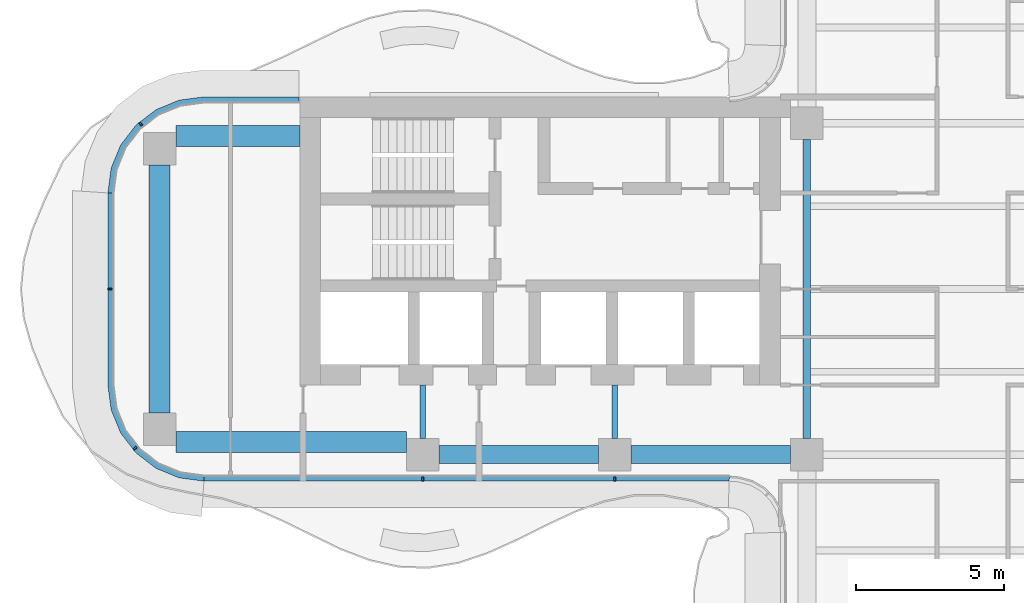
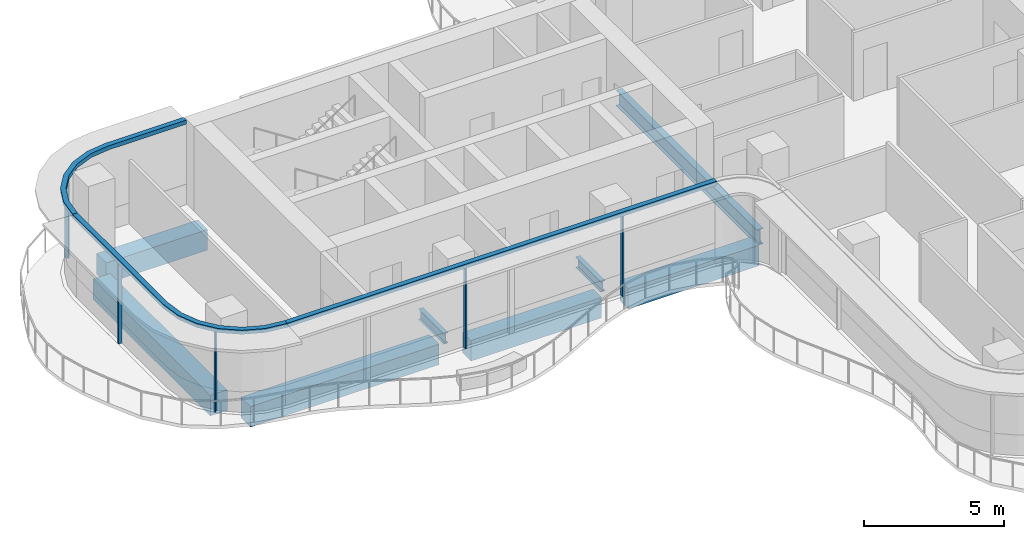
# One storey, part 3 of 16: 8 beams, 8 members, 3 elements without a shape of their own.
"""IFC4 building model written with IfcOpenShell, lengths in metres."""

from ifc_helpers import new_model, si_unit, direction, frame, origin, origin_2d, place, context, subcontext, project, spatial, polyline, rectangle, i_section, outline, extrude, source, transform, mapped, material, layer, layer_set, material_profile, profile_set, type_object, element, aggregate, save


model = new_model("IFC4")

# Units and contexts
model_context = context("Model", 3, precision=1e-05, world=origin(), true_north=direction((0.0, 1.0)))
body_context = subcontext(model_context, "Body", "Model", "MODEL_VIEW")
ifc_project = project(units=[si_unit("LENGTHUNIT", "METRE"), si_unit("AREAUNIT", "SQUARE_METRE"), si_unit("VOLUMEUNIT", "CUBIC_METRE"), si_unit("PLANEANGLEUNIT", "RADIAN"), si_unit("MASSUNIT", "GRAM", prefix="KILO")], contexts=[model_context])

# Site, building, storey
site_placement = place(None, origin())
site = spatial("IfcSite", under=ifc_project, at=site_placement, CompositionType="ELEMENT")
building_placement = place(site_placement, origin())
building = spatial("IfcBuilding", under=site, at=building_placement, Name="Trellis Farm Tower", CompositionType="ELEMENT")
storey_placement = place(building_placement, frame((0.0, 0.0, 251.89990234375)))
storey = spatial("IfcBuildingStorey", under=building, at=storey_placement, Name="L56", CompositionType="ELEMENT", Elevation=251.89990234375)

# Beams
ifc_material_1 = material(Name="Steel S355", Category="steel")
ifc_material_profile_1 = material_profile(ifc_material_1, i_section(OverallWidth=0.253662109375, OverallDepth=0.68359375, WebThickness=0.012451171875, FlangeThickness=0.021728515625, FilletRadius=0.01513671875, at=origin_2d()), Name="UB 686x254x140")
ifc_profile_set_1 = profile_set([ifc_material_profile_1], Name="Steel S355")
beam_type_1 = type_object("IfcBeamType", Name="UB 686x254x140", PredefinedType="BEAM", material=ifc_profile_set_1)
shared_shape_1 = source(origin(), body_context, "Body", "SweptSolid", [
    extrude(i_section(OverallWidth=0.253662109375, OverallDepth=0.68359375, WebThickness=0.012451171875, FlangeThickness=0.021728515625, FilletRadius=0.01513671875, at=origin_2d()), origin(), (0.0, 0.0, 1.0), 10.10009765625),
])
beam_1_placement = place(storey_placement, frame((-5.60009765625, -5.050048828125, -0.54150390625), z_axis=(0.0, 1.0, 0.0), x_axis=(-1.0, 0.0, 0.0)))
element("IfcBeam", 1, at=beam_1_placement, inside=storey, type_object=beam_type_1, Name="Girder", PredefinedType="BEAM", context=body_context, shape_type="MappedRepresentation", body=[
    mapped(shared_shape_1, transform((0.0, 0.0, 0.0))),
])
ifc_material_profile_2 = material_profile(ifc_material_1, i_section(OverallWidth=0.1904296875, OverallDepth=0.45703125, WebThickness=0.009033203125, FlangeThickness=0.014404296875, FilletRadius=0.01025390625, at=origin_2d()), Name="UB 457x191x74")
ifc_profile_set_2 = profile_set([ifc_material_profile_2], Name="Steel S355")
beam_type_2 = type_object("IfcBeamType", Name="UB 457x191x74", PredefinedType="BEAM", material=ifc_profile_set_2)
shared_shape_2 = source(origin(), body_context, "Body", "SweptSolid", [
    extrude(i_section(OverallWidth=0.1904296875, OverallDepth=0.45703125, WebThickness=0.009033203125, FlangeThickness=0.014404296875, FilletRadius=0.01025390625, at=origin_2d()), origin(), (0.0, 0.0, 1.0), 1.800048828125),
])
for number, where, z_axis, x_axis, name in (
    (2, (-18.60009765625, -5.050048828125, -0.428466796875), (0.0, 1.0, 0.0), (-1.0, 0.0, 0.0), "Girder"),
    (3, (-12.10009765625, -5.050048828125, -0.428466796875), (0.0, 1.0, 0.0), (-1.0, 0.0, 0.0), "Girder"),
):
    element("IfcBeam", number, at=place(storey_placement, frame(where, z_axis=z_axis, x_axis=x_axis)), inside=storey, type_object=beam_type_2, Name=name, PredefinedType="BEAM", context=body_context, shape_type="MappedRepresentation", body=[
        mapped(shared_shape_2, transform((0.0, 0.0, 0.0))),
    ])
ifc_material_2 = material(Name="Concrete C60/75", Category="concrete")
ifc_material_profile_3 = material_profile(ifc_material_2, rectangle(XDim=0.60009765625, YDim=0.89990234375, at=origin_2d()), Name="RC spandrel beam 600x900 C60/75")
ifc_profile_set_3 = profile_set([ifc_material_profile_3], Name="Concrete C60/75")
beam_type_3 = type_object("IfcBeamType", Name="RC spandrel beam 600x900 C60/75", PredefinedType="SPANDREL", material=ifc_profile_set_3)
shared_shape_3 = source(origin(), body_context, "Body", "SweptSolid", [
    extrude(rectangle(XDim=0.60009765625, YDim=0.89990234375, at=origin_2d()), origin(), (0.0, 0.0, 1.0), 5.400146484375),
])
for number, where, z_axis, x_axis, name in (
    (4, (-18.050048828125, -5.60009765625, -0.64990234375), (1.0, 0.0, 0.0), (0.0, 1.0, 0.0), "Girder"),
    (5, (-11.550048828125, -5.60009765625, -0.64990234375), (1.0, 0.0, 0.0), (0.0, 1.0, 0.0), "Girder"),
):
    element("IfcBeam", number, at=place(storey_placement, frame(where, z_axis=z_axis, x_axis=x_axis)), inside=storey, type_object=beam_type_3, Name=name, PredefinedType="SPANDREL", context=body_context, shape_type="MappedRepresentation", body=[
        mapped(shared_shape_3, transform((0.0, 0.0, 0.0))),
    ])
ifc_material_profile_4 = material_profile(ifc_material_2, rectangle(XDim=0.699951171875, YDim=0.89990234375, at=origin_2d()), Name="RC spandrel beam 700x900 C60/75")
ifc_profile_set_4 = profile_set([ifc_material_profile_4], Name="Concrete C60/75")
beam_type_4 = type_object("IfcBeamType", Name="RC spandrel beam 700x900 C60/75", PredefinedType="SPANDREL", material=ifc_profile_set_4)
shared_shape_4 = source(origin(), body_context, "Body", "SweptSolid", [
    extrude(rectangle(XDim=0.699951171875, YDim=0.89990234375, at=origin_2d()), origin(), (0.0, 0.0, 1.0), 8.39990234375),
])
beam_2_placement = place(storey_placement, frame((-27.5, -4.199951171875, -0.64990234375), z_axis=(0.0, 1.0, 0.0), x_axis=(-1.0, 0.0, 0.0)))
element("IfcBeam", 6, at=beam_2_placement, inside=storey, type_object=beam_type_4, Name="Girder", PredefinedType="SPANDREL", context=body_context, shape_type="MappedRepresentation", body=[
    mapped(shared_shape_4, transform((0.0, 0.0, 0.0))),
])
shared_shape_5 = source(origin(), body_context, "Body", "SweptSolid", [
    extrude(rectangle(XDim=0.699951171875, YDim=0.89990234375, at=origin_2d()), origin(), (0.0, 0.0, 1.0), 7.800048828125),
])
beam_3_placement = place(storey_placement, frame((-26.949951171875, -5.175048828125, -0.64990234375), z_axis=(1.0, 0.0, 0.0), x_axis=(0.0, 1.0, 0.0)))
element("IfcBeam", 7, at=beam_3_placement, inside=storey, type_object=beam_type_4, Name="Girder", PredefinedType="SPANDREL", context=body_context, shape_type="MappedRepresentation", body=[
    mapped(shared_shape_5, transform((0.0, 0.0, 0.0))),
])
shared_shape_6 = source(origin(), body_context, "Body", "SweptSolid", [
    extrude(rectangle(XDim=0.699951171875, YDim=0.89990234375, at=origin_2d()), origin(), (0.0, 0.0, 1.0), 4.199951171875),
])
beam_4_placement = place(storey_placement, frame((-26.949951171875, 5.175048828125, -0.64990234375), z_axis=(1.0, 0.0, 0.0), x_axis=(0.0, 1.0, 0.0)))
element("IfcBeam", 8, at=beam_4_placement, inside=storey, type_object=beam_type_4, Name="Girder", PredefinedType="SPANDREL", context=body_context, shape_type="MappedRepresentation", body=[
    mapped(shared_shape_6, transform((0.0, 0.0, 0.0))),
])

# Curtain wall, members
ifc_material_3 = material(Name="Aluminium and glass curtain wall", Category="aluminium")
ifc_layer_1 = layer(ifc_material_3, 0.18994140625)
ifc_layer_set_1 = layer_set([ifc_layer_1], Name="RIBBON CURTAIN WALL CW1")
curtain_wall_type = type_object("IfcCurtainWallType", Name="RIBBON CURTAIN WALL CW1", PredefinedType="NOTDEFINED", material=ifc_layer_set_1)
placement_1 = place(storey_placement, origin())
curtain_wall_1 = element("IfcCurtainWall", 9, at=placement_1, inside=storey, type_object=curtain_wall_type, Name="CW1 001", PredefinedType="NOTDEFINED")
ifc_material_4 = material(Name="Aluminium extrusion 6063-T6", Category="aluminium")
ifc_material_profile_5 = material_profile(ifc_material_4, rectangle(XDim=0.06005859375, YDim=0.14990234375, at=origin_2d()), Name="MULLION 60x150")
ifc_profile_set_5 = profile_set([ifc_material_profile_5], Name="Aluminium extrusion 6063-T6")
member_type_1 = type_object("IfcMemberType", Name="CW1 MULLION 60x150", PredefinedType="MULLION", material=ifc_profile_set_5)
shared_shape_7 = source(origin(), body_context, "Body", "SweptSolid", [
    extrude(rectangle(XDim=0.06005859375, YDim=0.14990234375, at=origin_2d()), origin(), (0.0, 0.0, 1.0), 3.52001953125),
])
member_1_placement = place(storey_placement, frame((-18.60009765625, -6.425048828125, 0.0), z_axis=(0.0, 0.0, 1.0), x_axis=(1.0, 0.0, 0.0)))
member_1 = element("IfcMember", 10, at=member_1_placement, type_object=member_type_1, Name="MU1 001-01", PredefinedType="MULLION", context=body_context, shape_type="MappedRepresentation", body=[
    mapped(shared_shape_7, transform((0.0, 0.0, 0.0))),
])
member_2_placement = place(storey_placement, frame((-12.10009765625, -6.425048828125, 0.0), z_axis=(0.0, 0.0, 1.0), x_axis=(1.0, 0.0, 0.0)))
member_2 = element("IfcMember", 11, at=member_2_placement, type_object=member_type_1, Name="MU1 001-02", PredefinedType="MULLION", context=body_context, shape_type="MappedRepresentation", body=[
    mapped(shared_shape_7, transform((0.0, 0.0, 0.0))),
])

# Curtain wall, member
curtain_wall_2 = element("IfcCurtainWall", 12, at=placement_1, inside=storey, type_object=curtain_wall_type, Name="CW1 012", PredefinedType="NOTDEFINED")
member_3_placement = place(storey_placement, frame((-28.135498046875, 5.578369140625, 0.0), z_axis=(0.0, 0.0, 1.0), x_axis=(-0.793353340291, -0.608761429009, 0.0)))
member_3 = element("IfcMember", 13, at=member_3_placement, type_object=member_type_1, Name="MU1 012-01", PredefinedType="MULLION", context=body_context, shape_type="MappedRepresentation", body=[
    mapped(shared_shape_7, transform((0.0, 0.0, 0.0))),
])

# Curtain wall, members
curtain_wall_3 = element("IfcCurtainWall", 14, at=placement_1, inside=storey, type_object=curtain_wall_type, Name="CW1 013", PredefinedType="NOTDEFINED")
member_4_placement = place(storey_placement, frame((-29.175048828125, 0.0, 0.0), z_axis=(0.0, 0.0, 1.0), x_axis=(0.0, -1.0, 0.0)))
member_4 = element("IfcMember", 15, at=member_4_placement, type_object=member_type_1, Name="MU1 013-01", PredefinedType="MULLION", context=body_context, shape_type="MappedRepresentation", body=[
    mapped(shared_shape_7, transform((0.0, 0.0, 0.0))),
])
member_5_placement = place(storey_placement, frame((-28.328369140625, -5.385498046875, 0.0), z_axis=(0.0, 0.0, 1.0), x_axis=(0.608761429009, -0.793353340291, 0.0)))
member_5 = element("IfcMember", 16, at=member_5_placement, type_object=member_type_1, Name="MU1 013-02", PredefinedType="MULLION", context=body_context, shape_type="MappedRepresentation", body=[
    mapped(shared_shape_7, transform((0.0, 0.0, 0.0))),
])

# Member
ifc_layer_2 = layer(ifc_material_4, 0.199951171875)
ifc_layer_set_2 = layer_set([ifc_layer_2], Name="Aluminium extrusion 6063-T6")
member_type_2 = type_object("IfcMemberType", Name="CW1 TRANSOM 200x180", PredefinedType="USERDEFINED", material=ifc_layer_set_2)
shared_shape_8 = source(origin(), body_context, "Body", "SweptSolid", [
    extrude(outline(polyline([(-26.0, -6.5), (-8.2314453125, -6.5), (-8.224853515625, -6.300048828125), (-25.98681640625, -6.300048828125), (-26.0, -6.5)])), origin(), (0.0, 0.0, 1.0), 0.18017578125),
])
placement_2 = place(storey_placement, frame((0.0, 0.0, 3.52001953125)))
member_6 = element("IfcMember", 17, at=placement_2, type_object=member_type_2, Name="TR1 001", ObjectType="TRANSOM", PredefinedType="USERDEFINED", context=body_context, shape_type="MappedRepresentation", body=[
    mapped(shared_shape_8, transform((0.0, 0.0, 0.0))),
])

aggregate(curtain_wall_1, [member_1, member_2, member_6])

shared_shape_9 = source(origin(), body_context, "Body", "SweptSolid", [
    extrude(outline(polyline([(-22.780029296875, 6.5), (-26.0, 6.5), (-26.841064453125, 6.38916015625), (-27.625, 6.064697265625), (-28.298095703125, 5.548095703125), (-28.814697265625, 4.875), (-29.13916015625, 4.091064453125), (-29.25, 3.25), (-29.050048828125, 3.23681640625), (-28.9443359375, 4.0390625), (-28.639892578125, 4.774169921875), (-28.155517578125, 5.405517578125), (-27.524169921875, 5.889892578125), (-26.7890625, 6.1943359375), (-25.98681640625, 6.300048828125), (-22.780029296875, 6.300048828125), (-22.780029296875, 6.5)])), origin(), (0.0, 0.0, 1.0), 0.18017578125),
])
member_7 = element("IfcMember", 18, at=placement_2, type_object=member_type_2, Name="TR1 012", ObjectType="TRANSOM", PredefinedType="USERDEFINED", context=body_context, shape_type="MappedRepresentation", body=[
    mapped(shared_shape_9, transform((0.0, 0.0, 0.0))),
])

aggregate(curtain_wall_2, [member_3, member_7])

shared_shape_10 = source(origin(), body_context, "Body", "SweptSolid", [
    extrude(outline(polyline([(-29.25, 3.25), (-29.25, -3.25), (-29.13916015625, -4.091064453125), (-28.814697265625, -4.875), (-28.298095703125, -5.548095703125), (-27.625, -6.064697265625), (-26.841064453125, -6.38916015625), (-26.0, -6.5), (-25.98681640625, -6.300048828125), (-26.7890625, -6.1943359375), (-27.524169921875, -5.889892578125), (-28.155517578125, -5.405517578125), (-28.639892578125, -4.774169921875), (-28.9443359375, -4.0390625), (-29.050048828125, -3.23681640625), (-29.050048828125, 3.23681640625), (-29.25, 3.25)])), origin(), (0.0, 0.0, 1.0), 0.18017578125),
])
member_8 = element("IfcMember", 19, at=placement_2, type_object=member_type_2, Name="TR1 013", ObjectType="TRANSOM", PredefinedType="USERDEFINED", context=body_context, shape_type="MappedRepresentation", body=[
    mapped(shared_shape_10, transform((0.0, 0.0, 0.0))),
])

aggregate(curtain_wall_3, [member_4, member_5, member_8])

save(model, "model.ifc")
